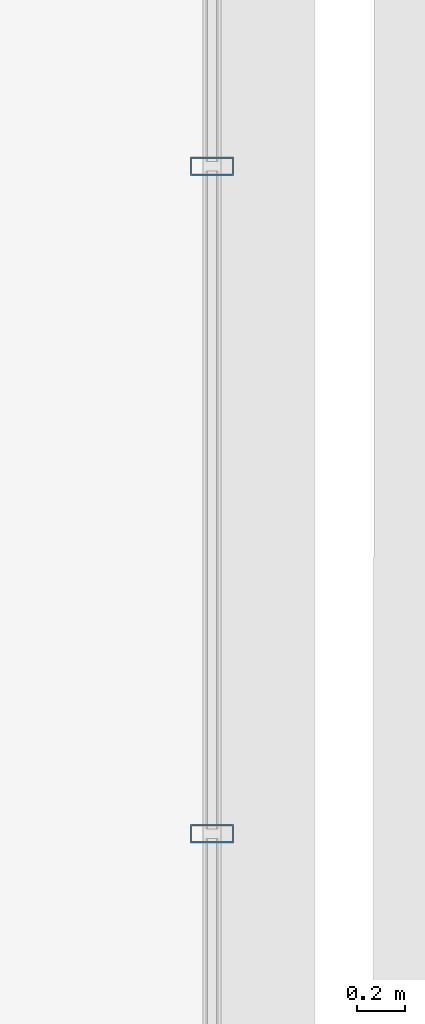
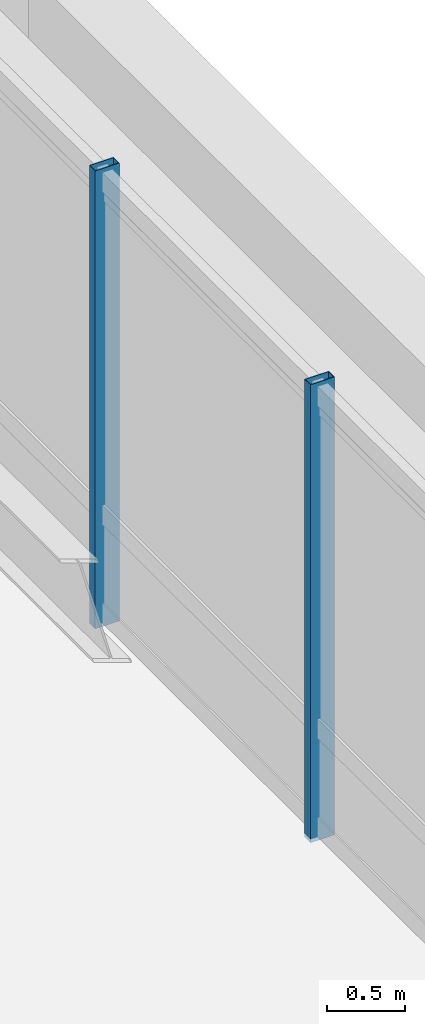
# One storey, part 4 of 14: 2 members, 1 element without a shape of its own.
"""IFC4 building model written with IfcOpenShell, lengths in metres."""

from ifc_helpers import new_model, si_unit, direction, frame, origin, origin_2d, place, context, subcontext, project, spatial, hollow_rectangle, extrude, material, material_profile, profile_set, type_object, element, aggregate, save


model = new_model("IFC4")

# Units and contexts
model_context = context("Model", 3, precision=1e-05, world=origin(), true_north=direction((0.0, 1.0)))
body_context = subcontext(model_context, "Body", "Model", "MODEL_VIEW")
ifc_project = project(units=[si_unit("LENGTHUNIT", "METRE"), si_unit("AREAUNIT", "SQUARE_METRE"), si_unit("VOLUMEUNIT", "CUBIC_METRE"), si_unit("PLANEANGLEUNIT", "RADIAN"), si_unit("MASSUNIT", "GRAM", prefix="KILO")], contexts=[model_context])

# Site, building, storey
site_placement = place(None, origin())
site = spatial("IfcSite", under=ifc_project, at=site_placement, CompositionType="ELEMENT")
building_placement = place(site_placement, origin())
building = spatial("IfcBuilding", under=site, at=building_placement, Name="Zulverin Broadcast Headquarters", CompositionType="ELEMENT")
storey_placement = place(building_placement, frame((0.0, 0.0, 85.800048828125)))
storey = spatial("IfcBuildingStorey", under=building, at=storey_placement, Name="L21", CompositionType="ELEMENT", Elevation=85.800048828125)

# Curtain wall, members
ifc_material_1 = material(Name="Low-zone ribbon unitised curtain wall", Category="aluminium")
curtain_wall_type = type_object("IfcCurtainWallType", Name="CW-TWR-LOW", PredefinedType="USERDEFINED", material=ifc_material_1)
curtain_wall_placement = place(storey_placement, origin())
curtain_wall = element("IfcCurtainWall", 1, at=curtain_wall_placement, inside=storey, type_object=curtain_wall_type, Name="L21 Unitised Curtain Wall CW-L21-E3", ObjectType="UNITISED CURTAIN WALL", PredefinedType="USERDEFINED")
ifc_material_2 = material(Name="Anodized pale-metal aluminium alloy 6063-T6", Category="aluminium")
ifc_material_profile = material_profile(ifc_material_2, hollow_rectangle(XDim=0.074951171875, YDim=0.179931640625, WallThickness=0.0048828125, at=origin_2d()), Name="Anodized pale-metal aluminium alloy 6063-T6", Category="aluminium")
ifc_profile_set = profile_set([ifc_material_profile], Name="Anodized pale-metal aluminium alloy 6063-T6")
member_type = type_object("IfcMemberType", Name="CW-MUL-180", PredefinedType="MULLION", material=ifc_profile_set)
member_1_placement = place(storey_placement, frame((66.080078125, 27.229736328125, -0.030029296875), z_axis=(0.0, 0.0, 1.0), x_axis=(0.0, 1.0, 0.0)))
member_1 = element("IfcMember", 2, at=member_1_placement, type_object=member_type, Name="CW-L21-E3 Mullion 04", PredefinedType="MULLION", context=body_context, shape_type="SweptSolid", body=[
    extrude(hollow_rectangle(XDim=0.074951171875, YDim=0.179931640625, WallThickness=0.0048828125, at=origin_2d()), origin(), (0.0, 0.0, 1.0), 3.5849609375),
])
member_2_placement = place(storey_placement, frame((66.080078125, 29.9912109375, -0.030029296875), z_axis=(0.0, 0.0, 1.0), x_axis=(0.0, 1.0, 0.0)))
member_2 = element("IfcMember", 3, at=member_2_placement, type_object=member_type, Name="CW-L21-E3 Mullion 05", PredefinedType="MULLION", context=body_context, shape_type="SweptSolid", body=[
    extrude(hollow_rectangle(XDim=0.074951171875, YDim=0.179931640625, WallThickness=0.0048828125, at=origin_2d()), origin(), (0.0, 0.0, 1.0), 3.5849609375),
])
aggregate(curtain_wall, [member_1, member_2])

save(model, "model.ifc")
